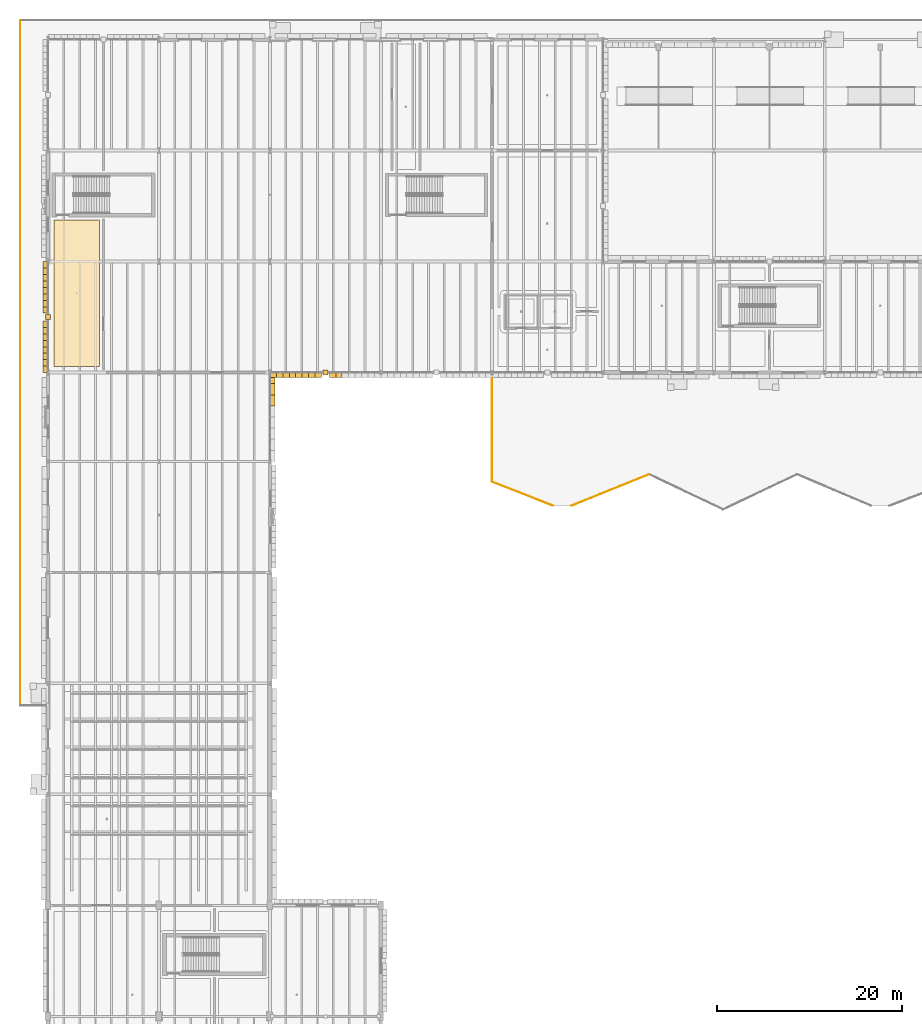
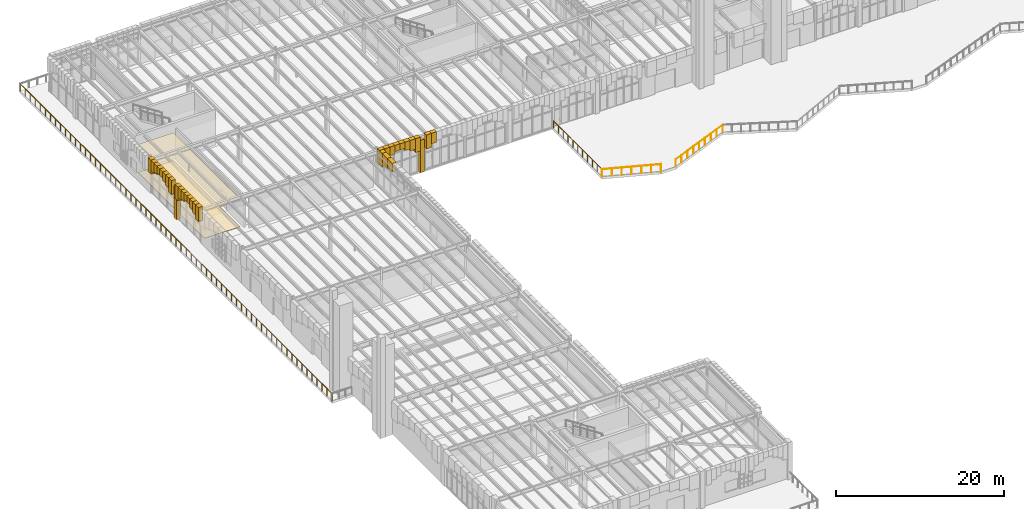
# One storey, part 77 of 103: 33 coverings, 4 railings.
"""IFC4 building model written with IfcOpenShell, lengths in metres."""

from ifc_helpers import new_model, si_unit, direction, frame, origin, origin_2d, place, context, subcontext, project, spatial, polyline, circle, outline, extrude, material, layer, layer_set, type_object, element, save


model = new_model("IFC4")

# Units and contexts
model_context = context("Model", 3, precision=1e-05, world=origin(), true_north=direction((0.0, 1.0)))
body_context = subcontext(model_context, "Body", "Model", "MODEL_VIEW")
ifc_project = project(units=[si_unit("LENGTHUNIT", "METRE"), si_unit("AREAUNIT", "SQUARE_METRE"), si_unit("VOLUMEUNIT", "CUBIC_METRE"), si_unit("PLANEANGLEUNIT", "RADIAN"), si_unit("MASSUNIT", "GRAM", prefix="KILO")], contexts=[model_context])

# Site, building, storey
site_placement = place(None, origin())
site = spatial("IfcSite", under=ifc_project, at=site_placement, CompositionType="ELEMENT")
building_placement = place(site_placement, origin())
building = spatial("IfcBuilding", under=site, at=building_placement, Name="Zlatogorsky Bluff Art Gallery", CompositionType="ELEMENT")
storey_placement = place(building_placement, origin())
storey = spatial("IfcBuildingStorey", under=building, at=storey_placement, Name="L00", CompositionType="ELEMENT", Elevation=0.0)

# Coverings
ifc_material_1 = material(Name="Perforated Gypsum Acoustic Board", Category="gypsum")
ifc_layer_1 = layer(ifc_material_1, 0.0400390625)
ifc_layer_set_1 = layer_set([ifc_layer_1], Name="Acoustic Gallery Ceiling CLG-01")
covering_type_1 = type_object("IfcCoveringType", Name="Acoustic Gallery Ceiling CLG-01", PredefinedType="CEILING", material=ifc_layer_set_1)
covering_1_placement = place(storey_placement, frame((0.0, 0.0, 4.050048828125)))
element("IfcCovering", 1, at=covering_1_placement, inside=storey, type_object=covering_type_1, Name="Grand Glazed Foyer and Winter-Garden Concourse acoustic ceiling", PredefinedType="CEILING", context=body_context, shape_type="SweptSolid", body=[
    extrude(outline(polyline([(5.550048828125, 100.489990234375), (5.550048828125, 84.669921875), (0.669921875, 84.669921875), (0.669921875, 100.489990234375), (5.550048828125, 100.489990234375)])), origin(), (0.0, 0.0, 1.0), 0.0400390625),
])
ifc_material_2 = material(Name="Honed Red Agra-Tone Quartzitic Sandstone", Category="masonry")
ifc_layer_2 = layer(ifc_material_2, 0.1201171875)
ifc_layer_set_2 = layer_set([ifc_layer_2], Name="Carved Sandstone Cladding CLD-02")
covering_type_2 = type_object("IfcCoveringType", Name="Carved Sandstone Cladding CLD-02", PredefinedType="CLADDING", material=ifc_layer_set_2)
covering_2_placement = place(storey_placement, frame((0.0, 0.0, -0.030029296875)))
element("IfcCovering", 2, at=covering_2_placement, inside=storey, type_object=covering_type_2, Name="Mughal dalan central sandstone pier L00 W 0.8", PredefinedType="CLADDING", context=body_context, shape_type="SweptSolid", body=[
    extrude(outline(polyline([(-0.280029296875, 89.719970703125), (0.280029296875, 89.719970703125), (0.280029296875, 90.280029296875), (-0.280029296875, 90.280029296875), (-0.280029296875, 89.719970703125)])), origin(), (0.0, 0.0, 1.0), 4.68994140625),
])
covering_3_placement = place(storey_placement, frame((0.0, 0.0, 3.327880859375)))
element("IfcCovering", 3, at=covering_3_placement, inside=storey, type_object=covering_type_2, Name="Pointed Mughal arch voussoir spandrel ARCH-CW-L00-W-00-08-A.1", PredefinedType="CLADDING", context=body_context, shape_type="SweptSolid", body=[
    extrude(outline(polyline([(-0.5400390625, 90.419921875), (-0.5400390625, 91.117431640625), (0.030029296875, 91.117431640625), (0.030029296875, 90.419921875), (-0.5400390625, 90.419921875)])), origin(), (0.0, 0.0, 1.0), 2.0322265625),
])
covering_4_placement = place(storey_placement, frame((0.0, 0.0, 3.82958984375)))
element("IfcCovering", 4, at=covering_4_placement, inside=storey, type_object=covering_type_2, Name="Pointed Mughal arch voussoir spandrel ARCH-CW-L00-W-00-08-A.2", PredefinedType="CLADDING", context=body_context, shape_type="SweptSolid", body=[
    extrude(outline(polyline([(-0.5400390625, 91.117431640625), (-0.5400390625, 91.81494140625), (0.030029296875, 91.81494140625), (0.030029296875, 91.117431640625), (-0.5400390625, 91.117431640625)])), origin(), (0.0, 0.0, 1.0), 1.530517578125),
])
covering_5_placement = place(storey_placement, frame((0.0, 0.0, 4.1064453125)))
element("IfcCovering", 5, at=covering_5_placement, inside=storey, type_object=covering_type_2, Name="Pointed Mughal arch voussoir spandrel ARCH-CW-L00-W-00-08-A.3", PredefinedType="CLADDING", context=body_context, shape_type="SweptSolid", body=[
    extrude(outline(polyline([(-0.5400390625, 91.81494140625), (-0.5400390625, 92.512451171875), (0.030029296875, 92.512451171875), (0.030029296875, 91.81494140625), (-0.5400390625, 91.81494140625)])), origin(), (0.0, 0.0, 1.0), 1.253662109375),
])
covering_6_placement = place(storey_placement, frame((0.0, 0.0, 4.45458984375)))
element("IfcCovering", 6, at=covering_6_placement, inside=storey, type_object=covering_type_2, Name="Pointed Mughal arch voussoir spandrel ARCH-CW-L00-W-00-08-A.4", PredefinedType="CLADDING", context=body_context, shape_type="SweptSolid", body=[
    extrude(outline(polyline([(-0.5400390625, 92.512451171875), (-0.5400390625, 93.2099609375), (0.030029296875, 93.2099609375), (0.030029296875, 92.512451171875), (-0.5400390625, 92.512451171875)])), origin(), (0.0, 0.0, 1.0), 0.905517578125),
])
covering_7_placement = place(storey_placement, frame((0.0, 0.0, 4.45458984375)))
element("IfcCovering", 7, at=covering_7_placement, inside=storey, type_object=covering_type_2, Name="Pointed Mughal arch voussoir spandrel ARCH-CW-L00-W-00-08-A.5", PredefinedType="CLADDING", context=body_context, shape_type="SweptSolid", body=[
    extrude(outline(polyline([(-0.5400390625, 93.2099609375), (-0.5400390625, 93.907470703125), (0.030029296875, 93.907470703125), (0.030029296875, 93.2099609375), (-0.5400390625, 93.2099609375)])), origin(), (0.0, 0.0, 1.0), 0.905517578125),
])
covering_8_placement = place(storey_placement, frame((0.0, 0.0, 4.1064453125)))
element("IfcCovering", 8, at=covering_8_placement, inside=storey, type_object=covering_type_2, Name="Pointed Mughal arch voussoir spandrel ARCH-CW-L00-W-00-08-A.6", PredefinedType="CLADDING", context=body_context, shape_type="SweptSolid", body=[
    extrude(outline(polyline([(-0.5400390625, 93.907470703125), (-0.5400390625, 94.60498046875), (0.030029296875, 94.60498046875), (0.030029296875, 93.907470703125), (-0.5400390625, 93.907470703125)])), origin(), (0.0, 0.0, 1.0), 1.253662109375),
])
covering_9_placement = place(storey_placement, frame((0.0, 0.0, 3.82958984375)))
element("IfcCovering", 9, at=covering_9_placement, inside=storey, type_object=covering_type_2, Name="Pointed Mughal arch voussoir spandrel ARCH-CW-L00-W-00-08-A.7", PredefinedType="CLADDING", context=body_context, shape_type="SweptSolid", body=[
    extrude(outline(polyline([(-0.5400390625, 94.60498046875), (-0.5400390625, 95.302490234375), (0.030029296875, 95.302490234375), (0.030029296875, 94.60498046875), (-0.5400390625, 94.60498046875)])), origin(), (0.0, 0.0, 1.0), 1.530517578125),
])
covering_10_placement = place(storey_placement, frame((0.0, 0.0, 3.327880859375)))
element("IfcCovering", 10, at=covering_10_placement, inside=storey, type_object=covering_type_2, Name="Pointed Mughal arch voussoir spandrel ARCH-CW-L00-W-00-08-A.8", PredefinedType="CLADDING", context=body_context, shape_type="SweptSolid", body=[
    extrude(outline(polyline([(-0.5400390625, 95.302490234375), (-0.5400390625, 96.0), (0.030029296875, 96.0), (0.030029296875, 95.302490234375), (-0.5400390625, 95.302490234375)])), origin(), (0.0, 0.0, 1.0), 2.0322265625),
])
covering_11_placement = place(storey_placement, frame((0.0, 0.0, 3.327880859375)))
element("IfcCovering", 11, at=covering_11_placement, inside=storey, type_object=covering_type_2, Name="Pointed Mughal arch voussoir spandrel ARCH-CW-L00-W-00-08-B.1", PredefinedType="CLADDING", context=body_context, shape_type="SweptSolid", body=[
    extrude(outline(polyline([(-0.5400390625, 84.0), (-0.5400390625, 84.697509765625), (0.030029296875, 84.697509765625), (0.030029296875, 84.0), (-0.5400390625, 84.0)])), origin(), (0.0, 0.0, 1.0), 2.0322265625),
])
covering_12_placement = place(storey_placement, frame((0.0, 0.0, 3.82958984375)))
element("IfcCovering", 12, at=covering_12_placement, inside=storey, type_object=covering_type_2, Name="Pointed Mughal arch voussoir spandrel ARCH-CW-L00-W-00-08-B.2", PredefinedType="CLADDING", context=body_context, shape_type="SweptSolid", body=[
    extrude(outline(polyline([(-0.5400390625, 84.697509765625), (-0.5400390625, 85.39501953125), (0.030029296875, 85.39501953125), (0.030029296875, 84.697509765625), (-0.5400390625, 84.697509765625)])), origin(), (0.0, 0.0, 1.0), 1.530517578125),
])
covering_13_placement = place(storey_placement, frame((0.0, 0.0, 4.1064453125)))
element("IfcCovering", 13, at=covering_13_placement, inside=storey, type_object=covering_type_2, Name="Pointed Mughal arch voussoir spandrel ARCH-CW-L00-W-00-08-B.3", PredefinedType="CLADDING", context=body_context, shape_type="SweptSolid", body=[
    extrude(outline(polyline([(-0.5400390625, 85.39501953125), (-0.5400390625, 86.092529296875), (0.030029296875, 86.092529296875), (0.030029296875, 85.39501953125), (-0.5400390625, 85.39501953125)])), origin(), (0.0, 0.0, 1.0), 1.253662109375),
])
covering_14_placement = place(storey_placement, frame((0.0, 0.0, 4.45458984375)))
element("IfcCovering", 14, at=covering_14_placement, inside=storey, type_object=covering_type_2, Name="Pointed Mughal arch voussoir spandrel ARCH-CW-L00-W-00-08-B.4", PredefinedType="CLADDING", context=body_context, shape_type="SweptSolid", body=[
    extrude(outline(polyline([(-0.5400390625, 86.092529296875), (-0.5400390625, 86.7900390625), (0.030029296875, 86.7900390625), (0.030029296875, 86.092529296875), (-0.5400390625, 86.092529296875)])), origin(), (0.0, 0.0, 1.0), 0.905517578125),
])
covering_15_placement = place(storey_placement, frame((0.0, 0.0, 4.45458984375)))
element("IfcCovering", 15, at=covering_15_placement, inside=storey, type_object=covering_type_2, Name="Pointed Mughal arch voussoir spandrel ARCH-CW-L00-W-00-08-B.5", PredefinedType="CLADDING", context=body_context, shape_type="SweptSolid", body=[
    extrude(outline(polyline([(-0.5400390625, 86.7900390625), (-0.5400390625, 87.487548828125), (0.030029296875, 87.487548828125), (0.030029296875, 86.7900390625), (-0.5400390625, 86.7900390625)])), origin(), (0.0, 0.0, 1.0), 0.905517578125),
])
covering_16_placement = place(storey_placement, frame((0.0, 0.0, 4.1064453125)))
element("IfcCovering", 16, at=covering_16_placement, inside=storey, type_object=covering_type_2, Name="Pointed Mughal arch voussoir spandrel ARCH-CW-L00-W-00-08-B.6", PredefinedType="CLADDING", context=body_context, shape_type="SweptSolid", body=[
    extrude(outline(polyline([(-0.5400390625, 87.487548828125), (-0.5400390625, 88.18505859375), (0.030029296875, 88.18505859375), (0.030029296875, 87.487548828125), (-0.5400390625, 87.487548828125)])), origin(), (0.0, 0.0, 1.0), 1.253662109375),
])
covering_17_placement = place(storey_placement, frame((0.0, 0.0, 3.82958984375)))
element("IfcCovering", 17, at=covering_17_placement, inside=storey, type_object=covering_type_2, Name="Pointed Mughal arch voussoir spandrel ARCH-CW-L00-W-00-08-B.7", PredefinedType="CLADDING", context=body_context, shape_type="SweptSolid", body=[
    extrude(outline(polyline([(-0.5400390625, 88.18505859375), (-0.5400390625, 88.882568359375), (0.030029296875, 88.882568359375), (0.030029296875, 88.18505859375), (-0.5400390625, 88.18505859375)])), origin(), (0.0, 0.0, 1.0), 1.530517578125),
])
covering_18_placement = place(storey_placement, frame((0.0, 0.0, 3.327880859375)))
element("IfcCovering", 18, at=covering_18_placement, inside=storey, type_object=covering_type_2, Name="Pointed Mughal arch voussoir spandrel ARCH-CW-L00-W-00-08-B.8", PredefinedType="CLADDING", context=body_context, shape_type="SweptSolid", body=[
    extrude(outline(polyline([(-0.5400390625, 88.882568359375), (-0.5400390625, 89.580078125), (0.030029296875, 89.580078125), (0.030029296875, 88.882568359375), (-0.5400390625, 88.882568359375)])), origin(), (0.0, 0.0, 1.0), 2.0322265625),
])
covering_19_placement = place(storey_placement, frame((0.0, 0.0, 4.1064453125)))
element("IfcCovering", 19, at=covering_19_placement, inside=storey, type_object=covering_type_2, Name="Pointed Mughal arch voussoir spandrel ARCH-CW-L00-E-01-07.6", PredefinedType="CLADDING", context=body_context, shape_type="SweptSolid", body=[
    extrude(outline(polyline([(23.969970703125, 80.39990234375), (23.969970703125, 81.60009765625), (24.5400390625, 81.60009765625), (24.5400390625, 80.39990234375), (23.969970703125, 80.39990234375)])), origin(), (0.0, 0.0, 1.0), 1.253662109375),
])
covering_20_placement = place(storey_placement, frame((0.0, 0.0, 3.82958984375)))
element("IfcCovering", 20, at=covering_20_placement, inside=storey, type_object=covering_type_2, Name="Pointed Mughal arch voussoir spandrel ARCH-CW-L00-E-01-07.7", PredefinedType="CLADDING", context=body_context, shape_type="SweptSolid", body=[
    extrude(outline(polyline([(23.969970703125, 81.60009765625), (23.969970703125, 82.800048828125), (24.5400390625, 82.800048828125), (24.5400390625, 81.60009765625), (23.969970703125, 81.60009765625)])), origin(), (0.0, 0.0, 1.0), 1.530517578125),
])
covering_21_placement = place(storey_placement, frame((0.0, 0.0, 3.327880859375)))
element("IfcCovering", 21, at=covering_21_placement, inside=storey, type_object=covering_type_2, Name="Pointed Mughal arch voussoir spandrel ARCH-CW-L00-E-01-07.8", PredefinedType="CLADDING", context=body_context, shape_type="SweptSolid", body=[
    extrude(outline(polyline([(23.969970703125, 82.800048828125), (23.969970703125, 84.0), (24.5400390625, 84.0), (24.5400390625, 82.800048828125), (23.969970703125, 82.800048828125)])), origin(), (0.0, 0.0, 1.0), 2.0322265625),
])
covering_22_placement = place(storey_placement, frame((0.0, 0.0, -0.030029296875)))
element("IfcCovering", 22, at=covering_22_placement, inside=storey, type_object=covering_type_2, Name="Mughal dalan central sandstone pier L00 S 2.8", PredefinedType="CLADDING", context=body_context, shape_type="SweptSolid", body=[
    extrude(outline(polyline([(29.719970703125, 83.719970703125), (30.280029296875, 83.719970703125), (30.280029296875, 84.280029296875), (29.719970703125, 84.280029296875), (29.719970703125, 83.719970703125)])), origin(), (0.0, 0.0, 1.0), 4.68994140625),
])
covering_23_placement = place(storey_placement, frame((0.0, 0.0, 3.327880859375)))
element("IfcCovering", 23, at=covering_23_placement, inside=storey, type_object=covering_type_2, Name="Pointed Mughal arch voussoir spandrel ARCH-CW-L00-S-02-08-A.1", PredefinedType="CLADDING", context=body_context, shape_type="SweptSolid", body=[
    extrude(outline(polyline([(24.0, 83.4599609375), (24.697509765625, 83.4599609375), (24.697509765625, 84.030029296875), (24.0, 84.030029296875), (24.0, 83.4599609375)])), origin(), (0.0, 0.0, 1.0), 2.0322265625),
])
covering_24_placement = place(storey_placement, frame((0.0, 0.0, 3.82958984375)))
element("IfcCovering", 24, at=covering_24_placement, inside=storey, type_object=covering_type_2, Name="Pointed Mughal arch voussoir spandrel ARCH-CW-L00-S-02-08-A.2", PredefinedType="CLADDING", context=body_context, shape_type="SweptSolid", body=[
    extrude(outline(polyline([(24.697509765625, 83.4599609375), (25.39501953125, 83.4599609375), (25.39501953125, 84.030029296875), (24.697509765625, 84.030029296875), (24.697509765625, 83.4599609375)])), origin(), (0.0, 0.0, 1.0), 1.530517578125),
])
covering_25_placement = place(storey_placement, frame((0.0, 0.0, 4.1064453125)))
element("IfcCovering", 25, at=covering_25_placement, inside=storey, type_object=covering_type_2, Name="Pointed Mughal arch voussoir spandrel ARCH-CW-L00-S-02-08-A.3", PredefinedType="CLADDING", context=body_context, shape_type="SweptSolid", body=[
    extrude(outline(polyline([(25.39501953125, 83.4599609375), (26.092529296875, 83.4599609375), (26.092529296875, 84.030029296875), (25.39501953125, 84.030029296875), (25.39501953125, 83.4599609375)])), origin(), (0.0, 0.0, 1.0), 1.253662109375),
])
covering_26_placement = place(storey_placement, frame((0.0, 0.0, 4.45458984375)))
element("IfcCovering", 26, at=covering_26_placement, inside=storey, type_object=covering_type_2, Name="Pointed Mughal arch voussoir spandrel ARCH-CW-L00-S-02-08-A.4", PredefinedType="CLADDING", context=body_context, shape_type="SweptSolid", body=[
    extrude(outline(polyline([(26.092529296875, 83.4599609375), (26.7900390625, 83.4599609375), (26.7900390625, 84.030029296875), (26.092529296875, 84.030029296875), (26.092529296875, 83.4599609375)])), origin(), (0.0, 0.0, 1.0), 0.905517578125),
])
covering_27_placement = place(storey_placement, frame((0.0, 0.0, 4.45458984375)))
element("IfcCovering", 27, at=covering_27_placement, inside=storey, type_object=covering_type_2, Name="Pointed Mughal arch voussoir spandrel ARCH-CW-L00-S-02-08-A.5", PredefinedType="CLADDING", context=body_context, shape_type="SweptSolid", body=[
    extrude(outline(polyline([(26.7900390625, 83.4599609375), (27.487548828125, 83.4599609375), (27.487548828125, 84.030029296875), (26.7900390625, 84.030029296875), (26.7900390625, 83.4599609375)])), origin(), (0.0, 0.0, 1.0), 0.905517578125),
])
covering_28_placement = place(storey_placement, frame((0.0, 0.0, 4.1064453125)))
element("IfcCovering", 28, at=covering_28_placement, inside=storey, type_object=covering_type_2, Name="Pointed Mughal arch voussoir spandrel ARCH-CW-L00-S-02-08-A.6", PredefinedType="CLADDING", context=body_context, shape_type="SweptSolid", body=[
    extrude(outline(polyline([(27.487548828125, 83.4599609375), (28.18505859375, 83.4599609375), (28.18505859375, 84.030029296875), (27.487548828125, 84.030029296875), (27.487548828125, 83.4599609375)])), origin(), (0.0, 0.0, 1.0), 1.253662109375),
])
covering_29_placement = place(storey_placement, frame((0.0, 0.0, 3.82958984375)))
element("IfcCovering", 29, at=covering_29_placement, inside=storey, type_object=covering_type_2, Name="Pointed Mughal arch voussoir spandrel ARCH-CW-L00-S-02-08-A.7", PredefinedType="CLADDING", context=body_context, shape_type="SweptSolid", body=[
    extrude(outline(polyline([(28.18505859375, 83.4599609375), (28.882568359375, 83.4599609375), (28.882568359375, 84.030029296875), (28.18505859375, 84.030029296875), (28.18505859375, 83.4599609375)])), origin(), (0.0, 0.0, 1.0), 1.530517578125),
])
covering_30_placement = place(storey_placement, frame((0.0, 0.0, 3.327880859375)))
element("IfcCovering", 30, at=covering_30_placement, inside=storey, type_object=covering_type_2, Name="Pointed Mughal arch voussoir spandrel ARCH-CW-L00-S-02-08-A.8", PredefinedType="CLADDING", context=body_context, shape_type="SweptSolid", body=[
    extrude(outline(polyline([(28.882568359375, 83.4599609375), (29.580078125, 83.4599609375), (29.580078125, 84.030029296875), (28.882568359375, 84.030029296875), (28.882568359375, 83.4599609375)])), origin(), (0.0, 0.0, 1.0), 2.0322265625),
])
covering_31_placement = place(storey_placement, frame((0.0, 0.0, 3.327880859375)))
element("IfcCovering", 31, at=covering_31_placement, inside=storey, type_object=covering_type_2, Name="Pointed Mughal arch voussoir spandrel ARCH-CW-L00-S-02-08-B.1", PredefinedType="CLADDING", context=body_context, shape_type="SweptSolid", body=[
    extrude(outline(polyline([(30.419921875, 83.4599609375), (31.117431640625, 83.4599609375), (31.117431640625, 84.030029296875), (30.419921875, 84.030029296875), (30.419921875, 83.4599609375)])), origin(), (0.0, 0.0, 1.0), 2.0322265625),
])
covering_32_placement = place(storey_placement, frame((0.0, 0.0, 3.82958984375)))
element("IfcCovering", 32, at=covering_32_placement, inside=storey, type_object=covering_type_2, Name="Pointed Mughal arch voussoir spandrel ARCH-CW-L00-S-02-08-B.2", PredefinedType="CLADDING", context=body_context, shape_type="SweptSolid", body=[
    extrude(outline(polyline([(31.117431640625, 83.4599609375), (31.81494140625, 83.4599609375), (31.81494140625, 84.030029296875), (31.117431640625, 84.030029296875), (31.117431640625, 83.4599609375)])), origin(), (0.0, 0.0, 1.0), 1.530517578125),
])

# Railings
ifc_material_3 = material(Name="Architectural Bronze and Laminated Glass", Category="glass")
railing_type = type_object("IfcRailingType", Name="Gallery Guard Rail 1100mm", PredefinedType="GUARDRAIL", material=ifc_material_3)
railing_1_placement = place(storey_placement, frame((-3.0, 48.0, 0.0)))
element("IfcRailing", 33, at=railing_1_placement, inside=storey, type_object=railing_type, Name="Upper bluff terrace perimeter balustrade NSK-02", PredefinedType="GUARDRAIL", context=body_context, shape_type="SweptSolid", body=[
    extrude(circle(Radius=0.02392578125, at=origin_2d()), frame((0.0, 0.0, 1.076171875), z_axis=(0.0, 1.0, 0.0), x_axis=(-1.0, 0.0, 0.0)), (0.0, 0.0, 1.0), 74.10009765625),
    extrude(circle(Radius=0.02099609375, at=origin_2d()), origin(), (0.0, 0.0, 1.0), 1.052001953125),
    extrude(circle(Radius=0.02099609375, at=origin_2d()), frame((0.0, 1.195068359375, 0.0)), (0.0, 0.0, 1.0), 1.052001953125),
    extrude(circle(Radius=0.02099609375, at=origin_2d()), frame((0.0, 2.390380859375, 0.0)), (0.0, 0.0, 1.0), 1.052001953125),
    extrude(circle(Radius=0.02099609375, at=origin_2d()), frame((0.0, 3.58544921875, 0.0)), (0.0, 0.0, 1.0), 1.052001953125),
    extrude(circle(Radius=0.02099609375, at=origin_2d()), frame((0.0, 4.78076171875, 0.0)), (0.0, 0.0, 1.0), 1.052001953125),
    extrude(circle(Radius=0.02099609375, at=origin_2d()), frame((0.0, 5.975830078125, 0.0)), (0.0, 0.0, 1.0), 1.052001953125),
    extrude(circle(Radius=0.02099609375, at=origin_2d()), frame((0.0, 7.1708984375, 0.0)), (0.0, 0.0, 1.0), 1.052001953125),
    extrude(circle(Radius=0.02099609375, at=origin_2d()), frame((0.0, 8.3662109375, 0.0)), (0.0, 0.0, 1.0), 1.052001953125),
    extrude(circle(Radius=0.02099609375, at=origin_2d()), frame((0.0, 9.561279296875, 0.0)), (0.0, 0.0, 1.0), 1.052001953125),
    extrude(circle(Radius=0.02099609375, at=origin_2d()), frame((0.0, 10.75634765625, 0.0)), (0.0, 0.0, 1.0), 1.052001953125),
    extrude(circle(Radius=0.02099609375, at=origin_2d()), frame((0.0, 11.95166015625, 0.0)), (0.0, 0.0, 1.0), 1.052001953125),
    extrude(circle(Radius=0.02099609375, at=origin_2d()), frame((0.0, 13.146728515625, 0.0)), (0.0, 0.0, 1.0), 1.052001953125),
    extrude(circle(Radius=0.02099609375, at=origin_2d()), frame((0.0, 14.342041015625, 0.0)), (0.0, 0.0, 1.0), 1.052001953125),
    extrude(circle(Radius=0.02099609375, at=origin_2d()), frame((0.0, 15.537109375, 0.0)), (0.0, 0.0, 1.0), 1.052001953125),
    extrude(circle(Radius=0.02099609375, at=origin_2d()), frame((0.0, 16.732177734375, 0.0)), (0.0, 0.0, 1.0), 1.052001953125),
    extrude(circle(Radius=0.02099609375, at=origin_2d()), frame((0.0, 17.927490234375, 0.0)), (0.0, 0.0, 1.0), 1.052001953125),
    extrude(circle(Radius=0.02099609375, at=origin_2d()), frame((0.0, 19.12255859375, 0.0)), (0.0, 0.0, 1.0), 1.052001953125),
    extrude(circle(Radius=0.02099609375, at=origin_2d()), frame((0.0, 20.31787109375, 0.0)), (0.0, 0.0, 1.0), 1.052001953125),
    extrude(circle(Radius=0.02099609375, at=origin_2d()), frame((0.0, 21.512939453125, 0.0)), (0.0, 0.0, 1.0), 1.052001953125),
    extrude(circle(Radius=0.02099609375, at=origin_2d()), frame((0.0, 22.7080078125, 0.0)), (0.0, 0.0, 1.0), 1.052001953125),
    extrude(circle(Radius=0.02099609375, at=origin_2d()), frame((0.0, 23.9033203125, 0.0)), (0.0, 0.0, 1.0), 1.052001953125),
    extrude(circle(Radius=0.02099609375, at=origin_2d()), frame((0.0, 25.098388671875, 0.0)), (0.0, 0.0, 1.0), 1.052001953125),
    extrude(circle(Radius=0.02099609375, at=origin_2d()), frame((0.0, 26.293701171875, 0.0)), (0.0, 0.0, 1.0), 1.052001953125),
    extrude(circle(Radius=0.02099609375, at=origin_2d()), frame((0.0, 27.48876953125, 0.0)), (0.0, 0.0, 1.0), 1.052001953125),
    extrude(circle(Radius=0.02099609375, at=origin_2d()), frame((0.0, 28.683837890625, 0.0)), (0.0, 0.0, 1.0), 1.052001953125),
    extrude(circle(Radius=0.02099609375, at=origin_2d()), frame((0.0, 29.879150390625, 0.0)), (0.0, 0.0, 1.0), 1.052001953125),
    extrude(circle(Radius=0.02099609375, at=origin_2d()), frame((0.0, 31.07421875, 0.0)), (0.0, 0.0, 1.0), 1.052001953125),
    extrude(circle(Radius=0.02099609375, at=origin_2d()), frame((0.0, 32.269287109375, 0.0)), (0.0, 0.0, 1.0), 1.052001953125),
    extrude(circle(Radius=0.02099609375, at=origin_2d()), frame((0.0, 33.464599609375, 0.0)), (0.0, 0.0, 1.0), 1.052001953125),
    extrude(circle(Radius=0.02099609375, at=origin_2d()), frame((0.0, 34.65966796875, 0.0)), (0.0, 0.0, 1.0), 1.052001953125),
    extrude(circle(Radius=0.02099609375, at=origin_2d()), frame((0.0, 35.85498046875, 0.0)), (0.0, 0.0, 1.0), 1.052001953125),
    extrude(circle(Radius=0.02099609375, at=origin_2d()), frame((0.0, 37.050048828125, 0.0)), (0.0, 0.0, 1.0), 1.052001953125),
    extrude(circle(Radius=0.02099609375, at=origin_2d()), frame((0.0, 38.2451171875, 0.0)), (0.0, 0.0, 1.0), 1.052001953125),
    extrude(circle(Radius=0.02099609375, at=origin_2d()), frame((0.0, 39.4404296875, 0.0)), (0.0, 0.0, 1.0), 1.052001953125),
    extrude(circle(Radius=0.02099609375, at=origin_2d()), frame((0.0, 40.635498046875, 0.0)), (0.0, 0.0, 1.0), 1.052001953125),
    extrude(circle(Radius=0.02099609375, at=origin_2d()), frame((0.0, 41.830810546875, 0.0)), (0.0, 0.0, 1.0), 1.052001953125),
    extrude(circle(Radius=0.02099609375, at=origin_2d()), frame((0.0, 43.02587890625, 0.0)), (0.0, 0.0, 1.0), 1.052001953125),
    extrude(circle(Radius=0.02099609375, at=origin_2d()), frame((0.0, 44.220947265625, 0.0)), (0.0, 0.0, 1.0), 1.052001953125),
    extrude(circle(Radius=0.02099609375, at=origin_2d()), frame((0.0, 45.416259765625, 0.0)), (0.0, 0.0, 1.0), 1.052001953125),
    extrude(circle(Radius=0.02099609375, at=origin_2d()), frame((0.0, 46.611328125, 0.0)), (0.0, 0.0, 1.0), 1.052001953125),
    extrude(circle(Radius=0.02099609375, at=origin_2d()), frame((0.0, 47.806396484375, 0.0)), (0.0, 0.0, 1.0), 1.052001953125),
    extrude(circle(Radius=0.02099609375, at=origin_2d()), frame((0.0, 49.001708984375, 0.0)), (0.0, 0.0, 1.0), 1.052001953125),
    extrude(circle(Radius=0.02099609375, at=origin_2d()), frame((0.0, 50.19677734375, 0.0)), (0.0, 0.0, 1.0), 1.052001953125),
    extrude(circle(Radius=0.02099609375, at=origin_2d()), frame((0.0, 51.39208984375, 0.0)), (0.0, 0.0, 1.0), 1.052001953125),
    extrude(circle(Radius=0.02099609375, at=origin_2d()), frame((0.0, 52.587158203125, 0.0)), (0.0, 0.0, 1.0), 1.052001953125),
    extrude(circle(Radius=0.02099609375, at=origin_2d()), frame((0.0, 53.7822265625, 0.0)), (0.0, 0.0, 1.0), 1.052001953125),
    extrude(circle(Radius=0.02099609375, at=origin_2d()), frame((0.0, 54.9775390625, 0.0)), (0.0, 0.0, 1.0), 1.052001953125),
    extrude(circle(Radius=0.02099609375, at=origin_2d()), frame((0.0, 56.172607421875, 0.0)), (0.0, 0.0, 1.0), 1.052001953125),
    extrude(circle(Radius=0.02099609375, at=origin_2d()), frame((0.0, 57.367919921875, 0.0)), (0.0, 0.0, 1.0), 1.052001953125),
    extrude(circle(Radius=0.02099609375, at=origin_2d()), frame((0.0, 58.56298828125, 0.0)), (0.0, 0.0, 1.0), 1.052001953125),
    extrude(circle(Radius=0.02099609375, at=origin_2d()), frame((0.0, 59.758056640625, 0.0)), (0.0, 0.0, 1.0), 1.052001953125),
    extrude(circle(Radius=0.02099609375, at=origin_2d()), frame((0.0, 60.953369140625, 0.0)), (0.0, 0.0, 1.0), 1.052001953125),
    extrude(circle(Radius=0.02099609375, at=origin_2d()), frame((0.0, 62.1484375, 0.0)), (0.0, 0.0, 1.0), 1.052001953125),
    extrude(circle(Radius=0.02099609375, at=origin_2d()), frame((0.0, 63.34375, 0.0)), (0.0, 0.0, 1.0), 1.052001953125),
    extrude(circle(Radius=0.02099609375, at=origin_2d()), frame((0.0, 64.538818359375, 0.0)), (0.0, 0.0, 1.0), 1.052001953125),
    extrude(circle(Radius=0.02099609375, at=origin_2d()), frame((0.0, 65.73388671875, 0.0)), (0.0, 0.0, 1.0), 1.052001953125),
    extrude(circle(Radius=0.02099609375, at=origin_2d()), frame((0.0, 66.92919921875, 0.0)), (0.0, 0.0, 1.0), 1.052001953125),
    extrude(circle(Radius=0.02099609375, at=origin_2d()), frame((0.0, 68.124267578125, 0.0)), (0.0, 0.0, 1.0), 1.052001953125),
    extrude(circle(Radius=0.02099609375, at=origin_2d()), frame((0.0, 69.3193359375, 0.0)), (0.0, 0.0, 1.0), 1.052001953125),
    extrude(circle(Radius=0.02099609375, at=origin_2d()), frame((0.0, 70.5146484375, 0.0)), (0.0, 0.0, 1.0), 1.052001953125),
    extrude(circle(Radius=0.02099609375, at=origin_2d()), frame((0.0, 71.709716796875, 0.0)), (0.0, 0.0, 1.0), 1.052001953125),
    extrude(circle(Radius=0.02099609375, at=origin_2d()), frame((0.0, 72.905029296875, 0.0)), (0.0, 0.0, 1.0), 1.052001953125),
    extrude(circle(Radius=0.02099609375, at=origin_2d()), frame((0.0, 74.10009765625, 0.0)), (0.0, 0.0, 1.0), 1.052001953125),
])
railing_2_placement = place(storey_placement, frame((48.0, 83.739990234375, 0.0)))
element("IfcRailing", 34, at=railing_2_placement, inside=storey, type_object=railing_type, Name="Upper bluff terrace perimeter balustrade RIM-01", PredefinedType="GUARDRAIL", context=body_context, shape_type="SweptSolid", body=[
    extrude(circle(Radius=0.02392578125, at=origin_2d()), frame((0.0, 0.0, 1.076171875), z_axis=(0.0, -1.0, 0.0), x_axis=(1.0, 0.0, 0.0)), (0.0, 0.0, 1.0), 11.5400390625),
    extrude(circle(Radius=0.02099609375, at=origin_2d()), origin(), (0.0, 0.0, 1.0), 1.052001953125),
    extrude(circle(Radius=0.02099609375, at=origin_2d()), frame((0.0, -1.154052734375, 0.0)), (0.0, 0.0, 1.0), 1.052001953125),
    extrude(circle(Radius=0.02099609375, at=origin_2d()), frame((0.0, -2.30810546875, 0.0)), (0.0, 0.0, 1.0), 1.052001953125),
    extrude(circle(Radius=0.02099609375, at=origin_2d()), frame((0.0, -3.4619140625, 0.0)), (0.0, 0.0, 1.0), 1.052001953125),
    extrude(circle(Radius=0.02099609375, at=origin_2d()), frame((0.0, -4.615966796875, 0.0)), (0.0, 0.0, 1.0), 1.052001953125),
    extrude(circle(Radius=0.02099609375, at=origin_2d()), frame((0.0, -5.77001953125, 0.0)), (0.0, 0.0, 1.0), 1.052001953125),
    extrude(circle(Radius=0.02099609375, at=origin_2d()), frame((0.0, -6.924072265625, 0.0)), (0.0, 0.0, 1.0), 1.052001953125),
    extrude(circle(Radius=0.02099609375, at=origin_2d()), frame((0.0, -8.078125, 0.0)), (0.0, 0.0, 1.0), 1.052001953125),
    extrude(circle(Radius=0.02099609375, at=origin_2d()), frame((0.0, -9.23193359375, 0.0)), (0.0, 0.0, 1.0), 1.052001953125),
    extrude(circle(Radius=0.02099609375, at=origin_2d()), frame((0.0, -10.385986328125, 0.0)), (0.0, 0.0, 1.0), 1.052001953125),
    extrude(circle(Radius=0.02099609375, at=origin_2d()), frame((0.0, -11.5400390625, 0.0)), (0.0, 0.0, 1.0), 1.052001953125),
])
railing_3_placement = place(storey_placement, frame((48.0, 72.199951171875, 0.0)))
element("IfcRailing", 35, at=railing_3_placement, inside=storey, type_object=railing_type, Name="Upper bluff terrace perimeter balustrade RIM-02", PredefinedType="GUARDRAIL", context=body_context, shape_type="SweptSolid", body=[
    extrude(circle(Radius=0.02392578125, at=origin_2d()), frame((0.0, 0.0, 1.076171875), z_axis=(0.930417283944, -0.366501947796, 0.0), x_axis=(0.366501947796, 0.930417283944, 0.0)), (0.0, 0.0, 1.0), 7.09375),
    extrude(circle(Radius=0.02099609375, at=origin_2d()), origin(), (0.0, 0.0, 1.0), 1.052001953125),
    extrude(circle(Radius=0.02099609375, at=origin_2d()), frame((1.10009765625, -0.433349609375, 0.0)), (0.0, 0.0, 1.0), 1.052001953125),
    extrude(circle(Radius=0.02099609375, at=origin_2d()), frame((2.199951171875, -0.86669921875, 0.0)), (0.0, 0.0, 1.0), 1.052001953125),
    extrude(circle(Radius=0.02099609375, at=origin_2d()), frame((3.300048828125, -1.2998046875, 0.0)), (0.0, 0.0, 1.0), 1.052001953125),
    extrude(circle(Radius=0.02099609375, at=origin_2d()), frame((4.400146484375, -1.733154296875, 0.0)), (0.0, 0.0, 1.0), 1.052001953125),
    extrude(circle(Radius=0.02099609375, at=origin_2d()), frame((5.5, -2.16650390625, 0.0)), (0.0, 0.0, 1.0), 1.052001953125),
    extrude(circle(Radius=0.02099609375, at=origin_2d()), frame((6.60009765625, -2.599853515625, 0.0)), (0.0, 0.0, 1.0), 1.052001953125),
])
railing_4_placement = place(storey_placement, frame((56.60009765625, 69.60009765625, 0.0)))
element("IfcRailing", 36, at=railing_4_placement, inside=storey, type_object=railing_type, Name="Upper bluff terrace perimeter balustrade RIM-04", PredefinedType="GUARDRAIL", context=body_context, shape_type="SweptSolid", body=[
    extrude(circle(Radius=0.02392578125, at=origin_2d()), frame((0.0, 0.0, 1.076171875), z_axis=(0.926949044115, 0.375187246072, 0.0), x_axis=(-0.375187246072, 0.926949044115, 0.0)), (0.0, 0.0, 1.0), 9.061767578125),
    extrude(circle(Radius=0.02099609375, at=origin_2d()), origin(), (0.0, 0.0, 1.0), 1.052001953125),
    extrude(circle(Radius=0.02099609375, at=origin_2d()), frame((1.050048828125, 0.425048828125, 0.0)), (0.0, 0.0, 1.0), 1.052001953125),
    extrude(circle(Radius=0.02099609375, at=origin_2d()), frame((2.10009765625, 0.85009765625, 0.0)), (0.0, 0.0, 1.0), 1.052001953125),
    extrude(circle(Radius=0.02099609375, at=origin_2d()), frame((3.14990234375, 1.27490234375, 0.0)), (0.0, 0.0, 1.0), 1.052001953125),
    extrude(circle(Radius=0.02099609375, at=origin_2d()), frame((4.199951171875, 1.699951171875, 0.0)), (0.0, 0.0, 1.0), 1.052001953125),
    extrude(circle(Radius=0.02099609375, at=origin_2d()), frame((5.25, 2.125, 0.0)), (0.0, 0.0, 1.0), 1.052001953125),
    extrude(circle(Radius=0.02099609375, at=origin_2d()), frame((6.2998046875, 2.5498046875, 0.0)), (0.0, 0.0, 1.0), 1.052001953125),
    extrude(circle(Radius=0.02099609375, at=origin_2d()), frame((7.349853515625, 2.974853515625, 0.0)), (0.0, 0.0, 1.0), 1.052001953125),
    extrude(circle(Radius=0.02099609375, at=origin_2d()), frame((8.39990234375, 3.39990234375, 0.0)), (0.0, 0.0, 1.0), 1.052001953125),
])

# Covering
ifc_material_4 = material(Name="Polished Ural Marble Terrazzo", Category="masonry")
ifc_layer_3 = layer(ifc_material_4, 0.050048828125)
ifc_layer_set_3 = layer_set([ifc_layer_3], Name="Terrazzo Gallery Flooring FLR-01")
covering_type_3 = type_object("IfcCoveringType", Name="Terrazzo Gallery Flooring FLR-01", PredefinedType="FLOORING", material=ifc_layer_set_3)
covering_33_placement = place(storey_placement, origin())
element("IfcCovering", 37, at=covering_33_placement, inside=storey, type_object=covering_type_3, Name="Grand Glazed Foyer and Winter-Garden Concourse terrazzo floor finish", PredefinedType="FLOORING", context=body_context, shape_type="SweptSolid", body=[
    extrude(outline(polyline([(5.550048828125, 100.489990234375), (5.550048828125, 84.669921875), (0.669921875, 84.669921875), (0.669921875, 100.489990234375), (5.550048828125, 100.489990234375)])), origin(), (0.0, 0.0, 1.0), 0.050048828125),
])

save(model, "model.ifc")
